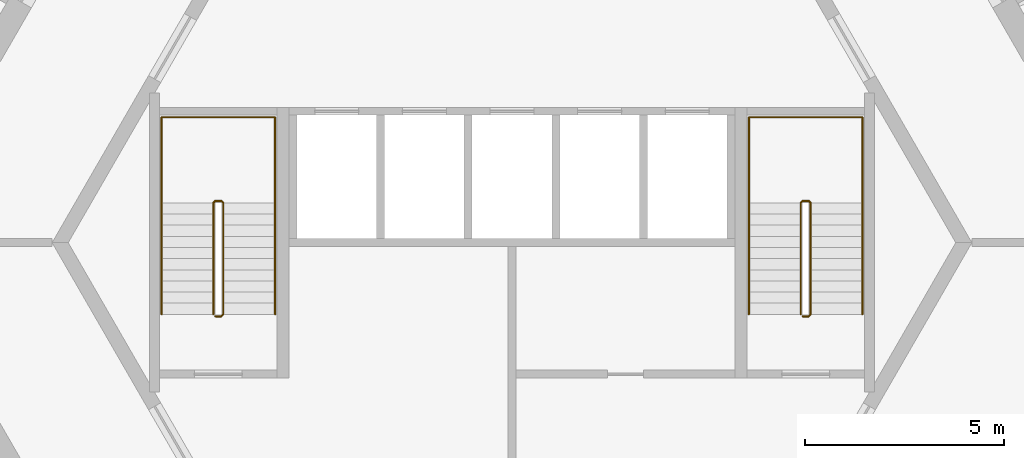
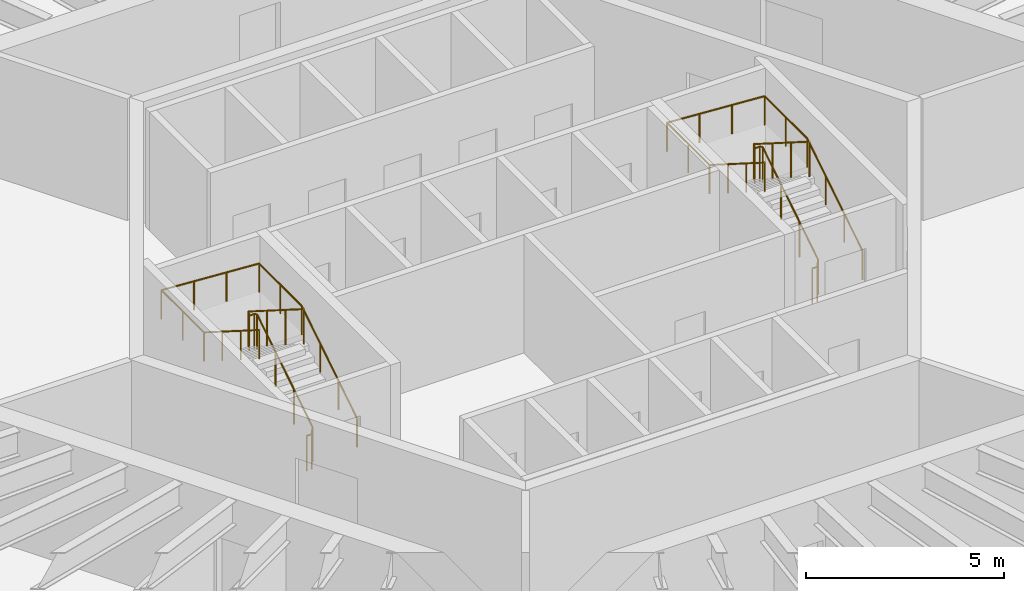
# One storey, part 11 of 11: 4 railings.
"""IFC4 building model written with IfcOpenShell, lengths in metres."""

from ifc_helpers import new_model, si_unit, direction, frame, origin, origin_2d, place, context, subcontext, project, spatial, circle, extrude, material, type_object, element, save


model = new_model("IFC4")

# Units and contexts
model_context = context("Model", 3, precision=1e-05, world=origin(), true_north=direction((0.0, 1.0)))
body_context = subcontext(model_context, "Body", "Model", "MODEL_VIEW")
ifc_project = project(units=[si_unit("LENGTHUNIT", "METRE"), si_unit("AREAUNIT", "SQUARE_METRE"), si_unit("VOLUMEUNIT", "CUBIC_METRE"), si_unit("PLANEANGLEUNIT", "RADIAN"), si_unit("MASSUNIT", "GRAM", prefix="KILO")], contexts=[model_context])

# Site, building, storey
site_placement = place(None, origin())
site = spatial("IfcSite", under=ifc_project, at=site_placement, CompositionType="ELEMENT")
building_placement = place(site_placement, origin())
building = spatial("IfcBuilding", under=site, at=building_placement, Name="Tarnside Tower", CompositionType="ELEMENT")
storey_placement = place(building_placement, frame((0.0, 0.0, 103.800048828125)))
storey = spatial("IfcBuildingStorey", under=building, at=storey_placement, Name="L23", CompositionType="ELEMENT", Elevation=103.800048828125)

# Railings
ifc_material = material(Name="Stainless steel", Category="steel")
railing_type_1 = type_object("IfcRailingType", Name="Stair guard 1100", PredefinedType="GUARDRAIL", material=ifc_material)
railing_1_placement = place(storey_placement, frame((7.300048828125, -1.85009765625, 0.0)))
element("IfcRailing", 1, at=railing_1_placement, inside=storey, type_object=railing_type_1, Name="L23 ST1 stair guard 1", PredefinedType="GUARDRAIL", context=body_context, shape_type="SweptSolid", body=[
    extrude(circle(Radius=0.02392578125, at=origin_2d()), frame((0.0, 0.0, 1.076171875), z_axis=(1.0, 0.0, 0.0), x_axis=(0.0, 1.0, 0.0)), (0.0, 0.0, 1.0), 0.14990234375),
    extrude(circle(Radius=0.02392578125, at=origin_2d()), frame((0.14990234375, 0.0, 1.076171875), z_axis=(0.262233686654, 0.262233686654, 0.928691007369), x_axis=(-0.707106781187, 0.707106781187, 0.0)), (0.0, 0.0, 1.0), 0.19091796875),
    extrude(circle(Radius=0.02392578125, at=origin_2d()), frame((0.199951171875, 0.050048828125, 1.25341796875), z_axis=(0.0, 0.844908973607, 0.534910110503), x_axis=(-1.0, 0.0, 0.0)), (0.0, 0.0, 1.0), 3.31396484375),
    extrude(circle(Radius=0.02392578125, at=origin_2d()), frame((0.199951171875, 2.85009765625, 3.02587890625), z_axis=(-0.707106781187, 0.707106781187, 0.0), x_axis=(-0.707106781187, -0.707106781187, 0.0)), (0.0, 0.0, 1.0), 0.07080078125),
    extrude(circle(Radius=0.02392578125, at=origin_2d()), frame((0.14990234375, 2.900146484375, 3.02587890625), z_axis=(-1.0, 0.0, 0.0), x_axis=(0.0, -1.0, 0.0)), (0.0, 0.0, 1.0), 0.14990234375),
    extrude(circle(Radius=0.02392578125, at=origin_2d()), frame((0.0, 2.900146484375, 3.02587890625), z_axis=(-0.262233686654, -0.262233686654, 0.928691007369), x_axis=(0.707106781187, -0.707106781187, 0.0)), (0.0, 0.0, 1.0), 0.19091796875),
    extrude(circle(Radius=0.02392578125, at=origin_2d()), frame((-0.050048828125, 2.85009765625, 3.203125), z_axis=(0.0, -0.844908973607, 0.534910110503), x_axis=(1.0, 0.0, 0.0)), (0.0, 0.0, 1.0), 3.31396484375),
    extrude(circle(Radius=0.02099609375, at=origin_2d()), origin(), (0.0, 0.0, 1.0), 1.052001953125),
    extrude(circle(Radius=0.02099609375, at=origin_2d()), frame((0.14990234375, 0.0, 0.0)), (0.0, 0.0, 1.0), 1.052001953125),
    extrude(circle(Radius=0.02099609375, at=origin_2d()), frame((0.199951171875, 0.050048828125, 0.17724609375)), (0.0, 0.0, 1.0), 1.052001953125),
    extrude(circle(Radius=0.02099609375, at=origin_2d()), frame((0.199951171875, 0.9833984375, 0.76806640625)), (0.0, 0.0, 1.0), 1.052001953125),
    extrude(circle(Radius=0.02099609375, at=origin_2d()), frame((0.199951171875, 1.916748046875, 1.359130859375)), (0.0, 0.0, 1.0), 1.052001953125),
    extrude(circle(Radius=0.02099609375, at=origin_2d()), frame((0.199951171875, 2.85009765625, 1.949951171875)), (0.0, 0.0, 1.0), 1.052001953125),
    extrude(circle(Radius=0.02099609375, at=origin_2d()), frame((0.14990234375, 2.900146484375, 1.949951171875)), (0.0, 0.0, 1.0), 1.052001953125),
    extrude(circle(Radius=0.02099609375, at=origin_2d()), frame((0.0, 2.900146484375, 1.949951171875)), (0.0, 0.0, 1.0), 1.052001953125),
    extrude(circle(Radius=0.02099609375, at=origin_2d()), frame((-0.050048828125, 2.85009765625, 2.127197265625)), (0.0, 0.0, 1.0), 1.052001953125),
    extrude(circle(Radius=0.02099609375, at=origin_2d()), frame((-0.050048828125, 1.916748046875, 2.718017578125)), (0.0, 0.0, 1.0), 1.052001953125),
    extrude(circle(Radius=0.02099609375, at=origin_2d()), frame((-0.050048828125, 0.9833984375, 3.30908203125)), (0.0, 0.0, 1.0), 1.052001953125),
    extrude(circle(Radius=0.02099609375, at=origin_2d()), frame((-0.050048828125, 0.050048828125, 3.89990234375)), (0.0, 0.0, 1.0), 1.052001953125),
])
railing_2_placement = place(storey_placement, frame((-7.449951171875, -1.85009765625, 0.0)))
element("IfcRailing", 2, at=railing_2_placement, inside=storey, type_object=railing_type_1, Name="L23 ST2 stair guard 1", PredefinedType="GUARDRAIL", context=body_context, shape_type="SweptSolid", body=[
    extrude(circle(Radius=0.02392578125, at=origin_2d()), frame((0.0, 0.0, 1.076171875), z_axis=(1.0, 0.0, 0.0), x_axis=(0.0, 1.0, 0.0)), (0.0, 0.0, 1.0), 0.14990234375),
    extrude(circle(Radius=0.02392578125, at=origin_2d()), frame((0.14990234375, 0.0, 1.076171875), z_axis=(0.262233686654, 0.262233686654, 0.928691007369), x_axis=(-0.707106781187, 0.707106781187, 0.0)), (0.0, 0.0, 1.0), 0.19091796875),
    extrude(circle(Radius=0.02392578125, at=origin_2d()), frame((0.199951171875, 0.050048828125, 1.25341796875), z_axis=(0.0, 0.844908973607, 0.534910110503), x_axis=(-1.0, 0.0, 0.0)), (0.0, 0.0, 1.0), 3.31396484375),
    extrude(circle(Radius=0.02392578125, at=origin_2d()), frame((0.199951171875, 2.85009765625, 3.02587890625), z_axis=(-0.707106781187, 0.707106781187, 0.0), x_axis=(-0.707106781187, -0.707106781187, 0.0)), (0.0, 0.0, 1.0), 0.07080078125),
    extrude(circle(Radius=0.02392578125, at=origin_2d()), frame((0.14990234375, 2.900146484375, 3.02587890625), z_axis=(-1.0, 0.0, 0.0), x_axis=(0.0, -1.0, 0.0)), (0.0, 0.0, 1.0), 0.14990234375),
    extrude(circle(Radius=0.02392578125, at=origin_2d()), frame((0.0, 2.900146484375, 3.02587890625), z_axis=(-0.262233686654, -0.262233686654, 0.928691007369), x_axis=(0.707106781187, -0.707106781187, 0.0)), (0.0, 0.0, 1.0), 0.19091796875),
    extrude(circle(Radius=0.02392578125, at=origin_2d()), frame((-0.050048828125, 2.85009765625, 3.203125), z_axis=(0.0, -0.844908973607, 0.534910110503), x_axis=(1.0, 0.0, 0.0)), (0.0, 0.0, 1.0), 3.31396484375),
    extrude(circle(Radius=0.02099609375, at=origin_2d()), origin(), (0.0, 0.0, 1.0), 1.052001953125),
    extrude(circle(Radius=0.02099609375, at=origin_2d()), frame((0.14990234375, 0.0, 0.0)), (0.0, 0.0, 1.0), 1.052001953125),
    extrude(circle(Radius=0.02099609375, at=origin_2d()), frame((0.199951171875, 0.050048828125, 0.17724609375)), (0.0, 0.0, 1.0), 1.052001953125),
    extrude(circle(Radius=0.02099609375, at=origin_2d()), frame((0.199951171875, 0.9833984375, 0.76806640625)), (0.0, 0.0, 1.0), 1.052001953125),
    extrude(circle(Radius=0.02099609375, at=origin_2d()), frame((0.199951171875, 1.916748046875, 1.359130859375)), (0.0, 0.0, 1.0), 1.052001953125),
    extrude(circle(Radius=0.02099609375, at=origin_2d()), frame((0.199951171875, 2.85009765625, 1.949951171875)), (0.0, 0.0, 1.0), 1.052001953125),
    extrude(circle(Radius=0.02099609375, at=origin_2d()), frame((0.14990234375, 2.900146484375, 1.949951171875)), (0.0, 0.0, 1.0), 1.052001953125),
    extrude(circle(Radius=0.02099609375, at=origin_2d()), frame((0.0, 2.900146484375, 1.949951171875)), (0.0, 0.0, 1.0), 1.052001953125),
    extrude(circle(Radius=0.02099609375, at=origin_2d()), frame((-0.050048828125, 2.85009765625, 2.127197265625)), (0.0, 0.0, 1.0), 1.052001953125),
    extrude(circle(Radius=0.02099609375, at=origin_2d()), frame((-0.050048828125, 1.916748046875, 2.718017578125)), (0.0, 0.0, 1.0), 1.052001953125),
    extrude(circle(Radius=0.02099609375, at=origin_2d()), frame((-0.050048828125, 0.9833984375, 3.30908203125)), (0.0, 0.0, 1.0), 1.052001953125),
    extrude(circle(Radius=0.02099609375, at=origin_2d()), frame((-0.050048828125, 0.050048828125, 3.89990234375)), (0.0, 0.0, 1.0), 1.052001953125),
])
railing_type_2 = type_object("IfcRailingType", Name="Stair handrail 900", PredefinedType="HANDRAIL", material=ifc_material)
railing_3_placement = place(storey_placement, frame((8.800048828125, -1.800048828125, 0.17724609375)))
element("IfcRailing", 3, at=railing_3_placement, inside=storey, type_object=railing_type_2, Name="L23 ST1 stair handrail 1", PredefinedType="HANDRAIL", context=body_context, shape_type="SweptSolid", body=[
    extrude(circle(Radius=0.02392578125, at=origin_2d()), frame((0.0, 0.0, 0.8857421875), z_axis=(0.0, 0.844908973607, 0.534910110503), x_axis=(-1.0, 0.0, 0.0)), (0.0, 0.0, 1.0), 3.31396484375),
    extrude(circle(Radius=0.02392578125, at=origin_2d()), frame((0.0, 2.800048828125, 2.65869140625), z_axis=(0.0, 1.0, 0.0), x_axis=(-1.0, 0.0, 0.0)), (0.0, 0.0, 1.0), 2.14990234375),
    extrude(circle(Radius=0.02392578125, at=origin_2d()), frame((0.0, 4.949951171875, 2.65869140625), z_axis=(-0.998071825391, 0.0, 0.06206956872), x_axis=(0.0, -1.0, 0.0)), (0.0, 0.0, 1.0), 2.855712890625),
    extrude(circle(Radius=0.02392578125, at=origin_2d()), frame((-2.85009765625, 4.949951171875, 2.8359375), z_axis=(0.0, -1.0, 0.0), x_axis=(1.0, 0.0, 0.0)), (0.0, 0.0, 1.0), 2.14990234375),
    extrude(circle(Radius=0.02392578125, at=origin_2d()), frame((-2.85009765625, 2.800048828125, 2.8359375), z_axis=(0.0, -0.844908973607, 0.534910110503), x_axis=(1.0, 0.0, 0.0)), (0.0, 0.0, 1.0), 3.31396484375),
    extrude(circle(Radius=0.02099609375, at=origin_2d()), origin(), (0.0, 0.0, 1.0), 0.86181640625),
    extrude(circle(Radius=0.02099609375, at=origin_2d()), frame((0.0, 0.933349609375, 0.5908203125)), (0.0, 0.0, 1.0), 0.86181640625),
    extrude(circle(Radius=0.02099609375, at=origin_2d()), frame((0.0, 1.86669921875, 1.181884765625)), (0.0, 0.0, 1.0), 0.86181640625),
    extrude(circle(Radius=0.02099609375, at=origin_2d()), frame((0.0, 2.800048828125, 1.772705078125)), (0.0, 0.0, 1.0), 0.86181640625),
    extrude(circle(Radius=0.02099609375, at=origin_2d()), frame((0.0, 3.875, 1.772705078125)), (0.0, 0.0, 1.0), 0.86181640625),
    extrude(circle(Radius=0.02099609375, at=origin_2d()), frame((0.0, 4.949951171875, 1.772705078125)), (0.0, 0.0, 1.0), 0.86181640625),
    extrude(circle(Radius=0.02099609375, at=origin_2d()), frame((-0.949951171875, 4.949951171875, 1.831787109375)), (0.0, 0.0, 1.0), 0.86181640625),
    extrude(circle(Radius=0.02099609375, at=origin_2d()), frame((-1.900146484375, 4.949951171875, 1.890869140625)), (0.0, 0.0, 1.0), 0.86181640625),
    extrude(circle(Radius=0.02099609375, at=origin_2d()), frame((-2.85009765625, 4.949951171875, 1.949951171875)), (0.0, 0.0, 1.0), 0.86181640625),
    extrude(circle(Radius=0.02099609375, at=origin_2d()), frame((-2.85009765625, 3.875, 1.949951171875)), (0.0, 0.0, 1.0), 0.86181640625),
    extrude(circle(Radius=0.02099609375, at=origin_2d()), frame((-2.85009765625, 2.800048828125, 1.949951171875)), (0.0, 0.0, 1.0), 0.86181640625),
    extrude(circle(Radius=0.02099609375, at=origin_2d()), frame((-2.85009765625, 1.86669921875, 2.540771484375)), (0.0, 0.0, 1.0), 0.86181640625),
    extrude(circle(Radius=0.02099609375, at=origin_2d()), frame((-2.85009765625, 0.933349609375, 3.1318359375)), (0.0, 0.0, 1.0), 0.86181640625),
    extrude(circle(Radius=0.02099609375, at=origin_2d()), frame((-2.85009765625, 0.0, 3.72265625)), (0.0, 0.0, 1.0), 0.86181640625),
])
railing_4_placement = place(storey_placement, frame((-5.949951171875, -1.800048828125, 0.17724609375)))
element("IfcRailing", 4, at=railing_4_placement, inside=storey, type_object=railing_type_2, Name="L23 ST2 stair handrail 1", PredefinedType="HANDRAIL", context=body_context, shape_type="SweptSolid", body=[
    extrude(circle(Radius=0.02392578125, at=origin_2d()), frame((0.0, 0.0, 0.8857421875), z_axis=(0.0, 0.844908973607, 0.534910110503), x_axis=(-1.0, 0.0, 0.0)), (0.0, 0.0, 1.0), 3.31396484375),
    extrude(circle(Radius=0.02392578125, at=origin_2d()), frame((0.0, 2.800048828125, 2.65869140625), z_axis=(0.0, 1.0, 0.0), x_axis=(-1.0, 0.0, 0.0)), (0.0, 0.0, 1.0), 2.14990234375),
    extrude(circle(Radius=0.02392578125, at=origin_2d()), frame((0.0, 4.949951171875, 2.65869140625), z_axis=(-0.998071825391, 0.0, 0.06206956872), x_axis=(0.0, -1.0, 0.0)), (0.0, 0.0, 1.0), 2.855712890625),
    extrude(circle(Radius=0.02392578125, at=origin_2d()), frame((-2.85009765625, 4.949951171875, 2.8359375), z_axis=(0.0, -1.0, 0.0), x_axis=(1.0, 0.0, 0.0)), (0.0, 0.0, 1.0), 2.14990234375),
    extrude(circle(Radius=0.02392578125, at=origin_2d()), frame((-2.85009765625, 2.800048828125, 2.8359375), z_axis=(0.0, -0.844908973607, 0.534910110503), x_axis=(1.0, 0.0, 0.0)), (0.0, 0.0, 1.0), 3.31396484375),
    extrude(circle(Radius=0.02099609375, at=origin_2d()), origin(), (0.0, 0.0, 1.0), 0.86181640625),
    extrude(circle(Radius=0.02099609375, at=origin_2d()), frame((0.0, 0.933349609375, 0.5908203125)), (0.0, 0.0, 1.0), 0.86181640625),
    extrude(circle(Radius=0.02099609375, at=origin_2d()), frame((0.0, 1.86669921875, 1.181884765625)), (0.0, 0.0, 1.0), 0.86181640625),
    extrude(circle(Radius=0.02099609375, at=origin_2d()), frame((0.0, 2.800048828125, 1.772705078125)), (0.0, 0.0, 1.0), 0.86181640625),
    extrude(circle(Radius=0.02099609375, at=origin_2d()), frame((0.0, 3.875, 1.772705078125)), (0.0, 0.0, 1.0), 0.86181640625),
    extrude(circle(Radius=0.02099609375, at=origin_2d()), frame((0.0, 4.949951171875, 1.772705078125)), (0.0, 0.0, 1.0), 0.86181640625),
    extrude(circle(Radius=0.02099609375, at=origin_2d()), frame((-0.949951171875, 4.949951171875, 1.831787109375)), (0.0, 0.0, 1.0), 0.86181640625),
    extrude(circle(Radius=0.02099609375, at=origin_2d()), frame((-1.900146484375, 4.949951171875, 1.890869140625)), (0.0, 0.0, 1.0), 0.86181640625),
    extrude(circle(Radius=0.02099609375, at=origin_2d()), frame((-2.85009765625, 4.949951171875, 1.949951171875)), (0.0, 0.0, 1.0), 0.86181640625),
    extrude(circle(Radius=0.02099609375, at=origin_2d()), frame((-2.85009765625, 3.875, 1.949951171875)), (0.0, 0.0, 1.0), 0.86181640625),
    extrude(circle(Radius=0.02099609375, at=origin_2d()), frame((-2.85009765625, 2.800048828125, 1.949951171875)), (0.0, 0.0, 1.0), 0.86181640625),
    extrude(circle(Radius=0.02099609375, at=origin_2d()), frame((-2.85009765625, 1.86669921875, 2.540771484375)), (0.0, 0.0, 1.0), 0.86181640625),
    extrude(circle(Radius=0.02099609375, at=origin_2d()), frame((-2.85009765625, 0.933349609375, 3.1318359375)), (0.0, 0.0, 1.0), 0.86181640625),
    extrude(circle(Radius=0.02099609375, at=origin_2d()), frame((-2.85009765625, 0.0, 3.72265625)), (0.0, 0.0, 1.0), 0.86181640625),
])

save(model, "model.ifc")
